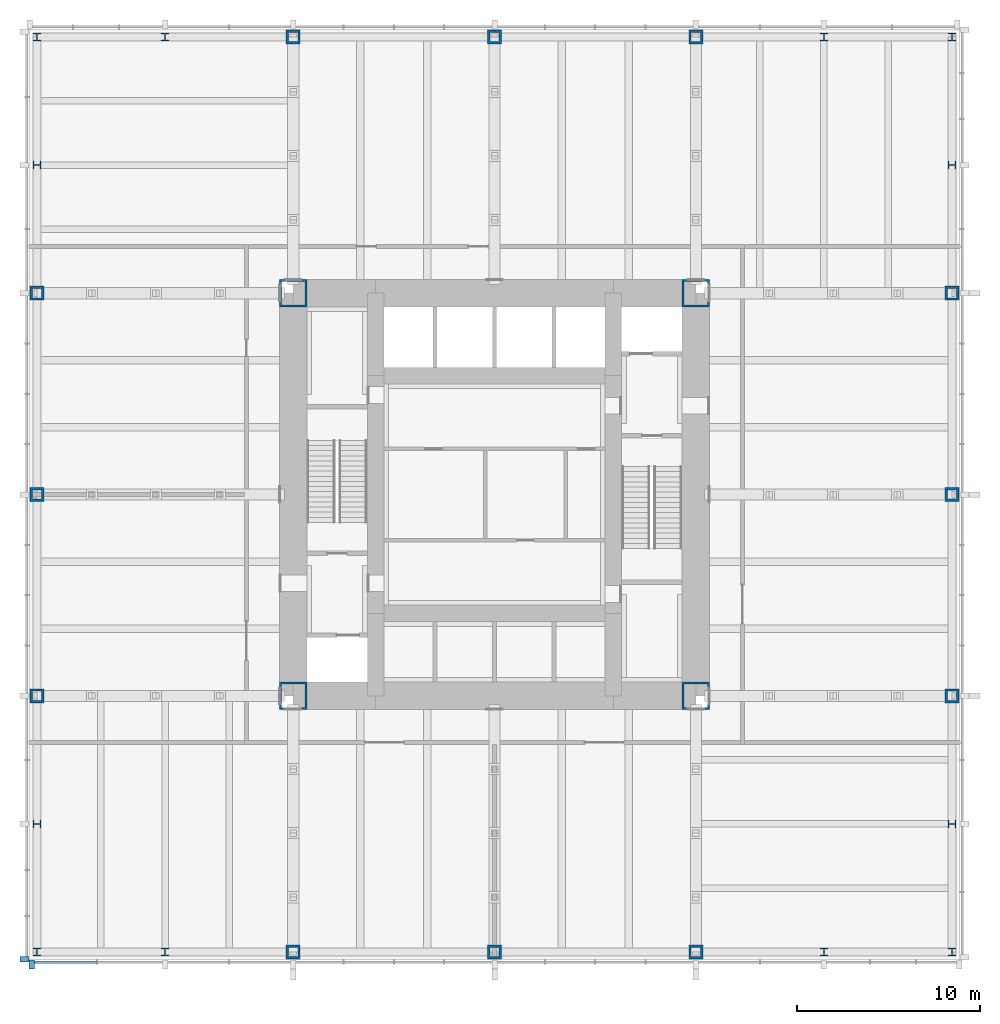
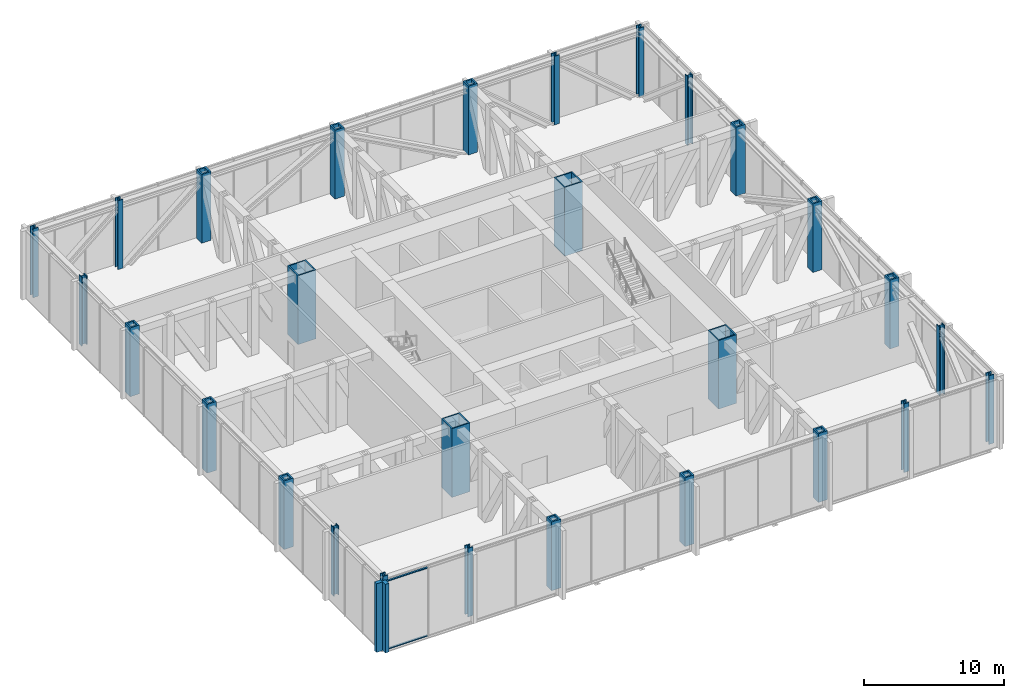
# One storey, part 1 of 13: 28 columns, 4 members, 2 elements without a shape of their own.
"""IFC4 building model written with IfcOpenShell, lengths in metres."""

from ifc_helpers import new_model, si_unit, direction, frame, origin, origin_2d, place, context, subcontext, project, spatial, rectangle, hollow_rectangle, i_section, extrude, material, material_profile, profile_set, type_object, element, aggregate, save


model = new_model("IFC4")

# Units and contexts
model_context = context("Model", 3, precision=1e-05, world=origin(), true_north=direction((0.0, 1.0)))
body_context = subcontext(model_context, "Body", "Model", "MODEL_VIEW")
ifc_project = project(units=[si_unit("LENGTHUNIT", "METRE"), si_unit("AREAUNIT", "SQUARE_METRE"), si_unit("VOLUMEUNIT", "CUBIC_METRE"), si_unit("PLANEANGLEUNIT", "RADIAN"), si_unit("MASSUNIT", "GRAM", prefix="KILO")], contexts=[model_context])

# Site, building, storey
site_placement = place(None, origin())
site = spatial("IfcSite", under=ifc_project, at=site_placement, CompositionType="ELEMENT")
building_placement = place(site_placement, origin())
building = spatial("IfcBuilding", under=site, at=building_placement, Name="Trevanion Tower", CompositionType="ELEMENT")
storey_placement = place(building_placement, frame((0.0, 0.0, 89.800048828125)))
storey = spatial("IfcBuildingStorey", under=building, at=storey_placement, Name="L21", CompositionType="ELEMENT", Elevation=89.800048828125)

# Columns
ifc_material_1 = material(Name="Steel ASTM A588 Grade 50", Category="steel")
ifc_material_profile_1 = material_profile(ifc_material_1, hollow_rectangle(XDim=0.761962890625, YDim=0.761962890625, WallThickness=0.126953125, at=origin_2d()), Name="BOX30X30X5")
ifc_profile_set_1 = profile_set([ifc_material_profile_1], Name="Steel ASTM A588 Grade 50")
column_type_1 = type_object("IfcColumnType", Name="C1 BOX30X30X5", PredefinedType="COLUMN", material=ifc_profile_set_1)
for number, where, z_axis, x_axis, name in (
    (1, (-25.0, 0.0, 0.0), (0.0, 0.0, 1.0), (0.0, 1.0, 0.0), "C1 3/H L21"),
    (2, (-25.0, -11.0, 0.0), (0.0, 0.0, 1.0), (0.0, 1.0, 0.0), "C1 3/F L21"),
    (3, (-11.0, -25.0, 0.0), (0.0, 0.0, 1.0), (1.0, 0.0, 0.0), "C1 8/A L21"),
    (4, (0.0, -25.0, 0.0), (0.0, 0.0, 1.0), (1.0, 0.0, 0.0), "C1 10/A L21"),
    (5, (11.0, -25.0, 0.0), (0.0, 0.0, 1.0), (1.0, 0.0, 0.0), "C1 12/A L21"),
    (6, (25.0, -11.0, 0.0), (0.0, 0.0, 1.0), (0.0, 1.0, 0.0), "C1 17/F L21"),
    (7, (25.0, 0.0, 0.0), (0.0, 0.0, 1.0), (0.0, 1.0, 0.0), "C1 17/H L21"),
    (8, (25.0, 11.0, 0.0), (0.0, 0.0, 1.0), (0.0, 1.0, 0.0), "C1 17/K L21"),
    (9, (11.0, 25.0, 0.0), (0.0, 0.0, 1.0), (1.0, 0.0, 0.0), "C1 12/Q L21"),
    (10, (0.0, 25.0, 0.0), (0.0, 0.0, 1.0), (1.0, 0.0, 0.0), "C1 10/Q L21"),
    (11, (-11.0, 25.0, 0.0), (0.0, 0.0, 1.0), (1.0, 0.0, 0.0), "C1 8/Q L21"),
    (12, (-25.0, 11.0, 0.0), (0.0, 0.0, 1.0), (0.0, 1.0, 0.0), "C1 3/K L21"),
):
    element("IfcColumn", number, at=place(storey_placement, frame(where, z_axis=z_axis, x_axis=x_axis)), inside=storey, type_object=column_type_1, Name=name, PredefinedType="COLUMN", context=body_context, shape_type="SweptSolid", body=[
        extrude(hollow_rectangle(XDim=0.761962890625, YDim=0.761962890625, WallThickness=0.126953125, at=origin_2d()), origin(), (0.0, 0.0, 1.0), 6.0),
    ])
ifc_material_2 = material(Name="Steel ASTM A913 Grade 65", Category="steel")
ifc_material_profile_2 = material_profile(ifc_material_2, i_section(OverallWidth=0.419189453125, OverallDepth=0.45458984375, WebThickness=0.042236328125, FlangeThickness=0.067626953125, at=origin_2d()), Name="W14X370")
ifc_profile_set_2 = profile_set([ifc_material_profile_2], Name="Steel ASTM A913 Grade 65")
column_type_2 = type_object("IfcColumnType", Name="C2 W14X370", PredefinedType="COLUMN", material=ifc_profile_set_2)
for number, where, z_axis, x_axis, name in (
    (13, (-25.0, -18.0, 0.0), (0.0, 0.0, 1.0), (0.0, 1.0, 0.0), "C2 3/D L21"),
    (14, (-25.0, -25.0, 0.0), (0.0, 0.0, 1.0), (1.0, 0.0, 0.0), "C2 3/A L21"),
    (15, (-18.0, -25.0, 0.0), (0.0, 0.0, 1.0), (1.0, 0.0, 0.0), "C2 6/A L21"),
    (16, (18.0, -25.0, 0.0), (0.0, 0.0, 1.0), (1.0, 0.0, 0.0), "C2 14/A L21"),
    (17, (25.0, -25.0, 0.0), (0.0, 0.0, 1.0), (1.0, 0.0, 0.0), "C2 17/A L21"),
    (18, (25.0, -18.0, 0.0), (0.0, 0.0, 1.0), (0.0, 1.0, 0.0), "C2 17/D L21"),
    (19, (25.0, 18.0, 0.0), (0.0, 0.0, 1.0), (0.0, 1.0, 0.0), "C2 17/M L21"),
    (20, (25.0, 25.0, 0.0), (0.0, 0.0, 1.0), (1.0, 0.0, 0.0), "C2 17/Q L21"),
    (21, (18.0, 25.0, 0.0), (0.0, 0.0, 1.0), (1.0, 0.0, 0.0), "C2 14/Q L21"),
    (22, (-18.0, 25.0, 0.0), (0.0, 0.0, 1.0), (1.0, 0.0, 0.0), "C2 6/Q L21"),
    (23, (-25.0, 25.0, 0.0), (0.0, 0.0, 1.0), (1.0, 0.0, 0.0), "C2 3/Q L21"),
    (24, (-25.0, 18.0, 0.0), (0.0, 0.0, 1.0), (0.0, 1.0, 0.0), "C2 3/M L21"),
):
    element("IfcColumn", number, at=place(storey_placement, frame(where, z_axis=z_axis, x_axis=x_axis)), inside=storey, type_object=column_type_2, Name=name, PredefinedType="COLUMN", context=body_context, shape_type="SweptSolid", body=[
        extrude(i_section(OverallWidth=0.419189453125, OverallDepth=0.45458984375, WebThickness=0.042236328125, FlangeThickness=0.067626953125, at=origin_2d()), origin(), (0.0, 0.0, 1.0), 6.0),
    ])
ifc_material_3 = material(Name="Steel ASTM A572 Grade 50", Category="steel")
ifc_material_profile_3 = material_profile(ifc_material_3, hollow_rectangle(XDim=1.49853515625, YDim=1.49853515625, WallThickness=0.1015625, at=origin_2d()), Name="BOX59X59X4")
ifc_profile_set_3 = profile_set([ifc_material_profile_3], Name="Steel ASTM A572 Grade 50")
column_type_3 = type_object("IfcColumnType", Name="CB1 BOX59X59X4", PredefinedType="COLUMN", material=ifc_profile_set_3)
for number, where, z_axis, x_axis, name in (
    (25, (11.0, 11.0, 0.0), (0.0, 0.0, 1.0), (1.0, 0.0, 0.0), "CB1 NE L21"),
    (26, (-11.0, 11.0, 0.0), (0.0, 0.0, 1.0), (1.0, 0.0, 0.0), "CB1 NW L21"),
    (27, (-11.0, -11.0, 0.0), (0.0, 0.0, 1.0), (1.0, 0.0, 0.0), "CB1 SW L21"),
    (28, (11.0, -11.0, 0.0), (0.0, 0.0, 1.0), (1.0, 0.0, 0.0), "CB1 SE L21"),
):
    element("IfcColumn", number, at=place(storey_placement, frame(where, z_axis=z_axis, x_axis=x_axis)), inside=storey, type_object=column_type_3, Name=name, PredefinedType="COLUMN", context=body_context, shape_type="SweptSolid", body=[
        extrude(hollow_rectangle(XDim=1.49853515625, YDim=1.49853515625, WallThickness=0.1015625, at=origin_2d()), origin(), (0.0, 0.0, 1.0), 6.0),
    ])

# Curtain wall, member
ifc_material_4 = material(Name="Aluminium louvres", Category="aluminium")
curtain_wall_type = type_object("IfcCurtainWallType", Name="CWL curtain wall", PredefinedType="USERDEFINED", material=ifc_material_4)
curtain_wall_1_placement = place(storey_placement, origin())
curtain_wall_1 = element("IfcCurtainWall", 29, at=curtain_wall_1_placement, inside=storey, type_object=curtain_wall_type, Name="CWL L21 2", ObjectType="LOUVRE SCREEN", PredefinedType="USERDEFINED")
ifc_material_5 = material(Name="Aluminium extrusion, anodised bronze", Category="aluminium")
ifc_material_profile_4 = material_profile(ifc_material_5, rectangle(XDim=0.300048828125, YDim=0.5, at=origin_2d()), Name="CWL pier mullion")
ifc_profile_set_4 = profile_set([ifc_material_profile_4], Name="Aluminium extrusion, anodised bronze")
member_type_1 = type_object("IfcMemberType", Name="CWL pier mullion", PredefinedType="MULLION", material=ifc_profile_set_4)
member_1_placement = place(storey_placement, frame((-25.675048828125, -25.39990234375, -0.18994140625), z_axis=(0.0, 0.0, 1.0), x_axis=(0.0, -1.0, 0.0)))
member_1 = element("IfcMember", 30, at=member_1_placement, type_object=member_type_1, Name="CWL pier mullion 18", PredefinedType="MULLION", context=body_context, shape_type="SweptSolid", body=[
    extrude(rectangle(XDim=0.300048828125, YDim=0.5, at=origin_2d()), origin(), (0.0, 0.0, 1.0), 6.0),
])
aggregate(curtain_wall_1, [member_1])

# Curtain wall, members
curtain_wall_2_placement = place(storey_placement, origin())
curtain_wall_2 = element("IfcCurtainWall", 31, at=curtain_wall_2_placement, inside=storey, type_object=curtain_wall_type, Name="CWL L21 3", ObjectType="LOUVRE SCREEN", PredefinedType="USERDEFINED")
member_2_placement = place(storey_placement, frame((-25.27001953125, -25.675048828125, -0.18994140625), z_axis=(0.0, 0.0, 1.0), x_axis=(1.0, 0.0, 0.0)))
member_2 = element("IfcMember", 32, at=member_2_placement, type_object=member_type_1, Name="CWL pier mullion 1", PredefinedType="MULLION", context=body_context, shape_type="SweptSolid", body=[
    extrude(rectangle(XDim=0.300048828125, YDim=0.5, at=origin_2d()), origin(), (0.0, 0.0, 1.0), 6.0),
])
ifc_material_6 = material(Name="Aluminium extrusion, anodised bronze", Category="aluminium")
ifc_material_profile_5 = material_profile(ifc_material_6, rectangle(XDim=0.14990234375, YDim=0.074951171875, at=origin_2d()), Name="CWL transom")
ifc_profile_set_5 = profile_set([ifc_material_profile_5], Name="Aluminium extrusion, anodised bronze")
member_type_2 = type_object("IfcMemberType", Name="CWL transom", PredefinedType="USERDEFINED", material=ifc_profile_set_5)
member_3_placement = place(storey_placement, frame((-25.1201171875, -25.550048828125, -0.152587890625), z_axis=(1.0, 0.0, 0.0), x_axis=(0.0, 1.0, 0.0)))
member_3 = element("IfcMember", 33, at=member_3_placement, type_object=member_type_2, Name="CWL transom 1.1", ObjectType="TRANSOM", PredefinedType="USERDEFINED", context=body_context, shape_type="SweptSolid", body=[
    extrude(rectangle(XDim=0.14990234375, YDim=0.074951171875, at=origin_2d()), origin(), (0.0, 0.0, 1.0), 3.37255859375),
])
member_4_placement = place(storey_placement, frame((-25.1201171875, -25.550048828125, 5.7724609375), z_axis=(1.0, 0.0, 0.0), x_axis=(0.0, 1.0, 0.0)))
member_4 = element("IfcMember", 34, at=member_4_placement, type_object=member_type_2, Name="CWL transom 1.2", ObjectType="TRANSOM", PredefinedType="USERDEFINED", context=body_context, shape_type="SweptSolid", body=[
    extrude(rectangle(XDim=0.14990234375, YDim=0.074951171875, at=origin_2d()), origin(), (0.0, 0.0, 1.0), 3.37255859375),
])
aggregate(curtain_wall_2, [member_2, member_3, member_4])

save(model, "model.ifc")
